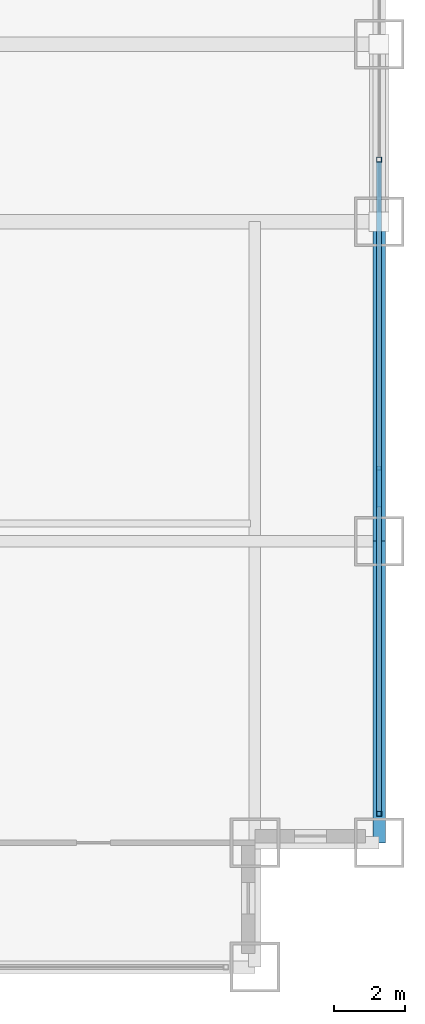
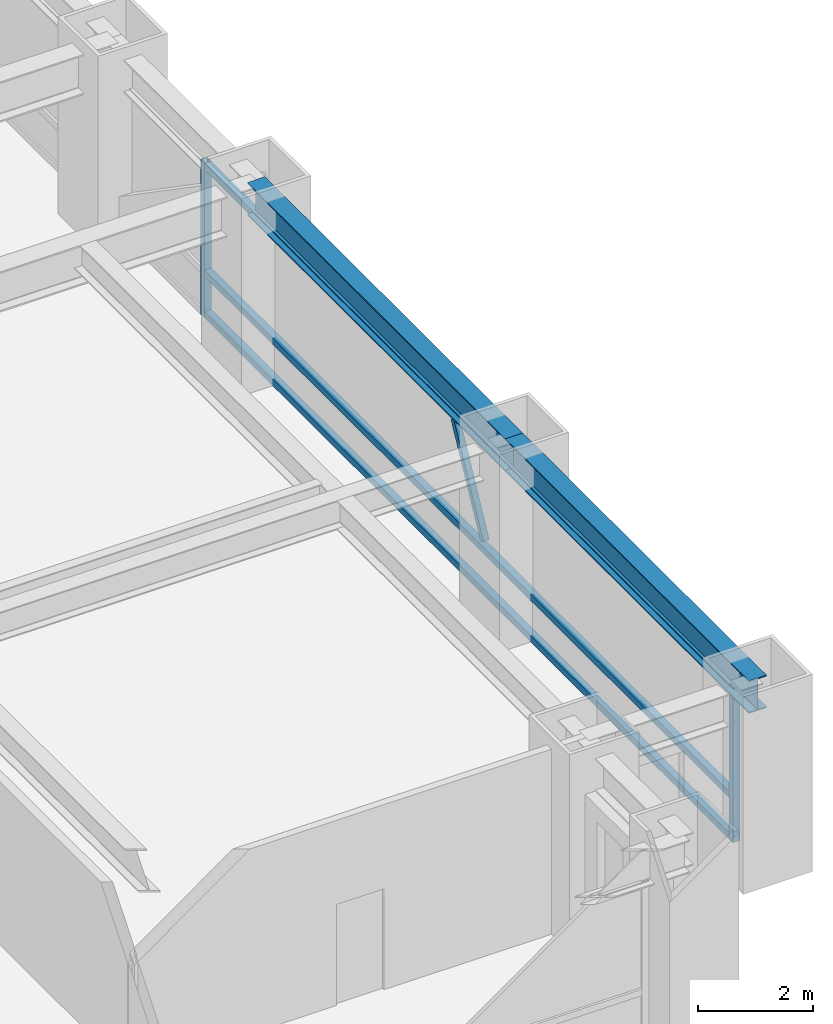
# One storey, part 16 of 27: 6 members, 2 beams, 1 element without a shape of its own.
"""IFC4 building model written with IfcOpenShell, lengths in metres."""

from ifc_helpers import new_model, si_unit, direction, frame, origin, origin_2d, place, context, subcontext, project, spatial, hollow_rectangle, i_section, extrude, source, transform, mapped, material, material_profile, profile_set, type_object, element, aggregate, save


model = new_model("IFC4")

# Units and contexts
model_context = context("Model", 3, precision=1e-05, world=origin(), true_north=direction((0.0, 1.0)))
body_context = subcontext(model_context, "Body", "Model", "MODEL_VIEW")
ifc_project = project(units=[si_unit("LENGTHUNIT", "METRE"), si_unit("AREAUNIT", "SQUARE_METRE"), si_unit("VOLUMEUNIT", "CUBIC_METRE"), si_unit("PLANEANGLEUNIT", "RADIAN"), si_unit("MASSUNIT", "GRAM", prefix="KILO")], contexts=[model_context])

# Site, building, storey
site_placement = place(None, origin())
site = spatial("IfcSite", under=ifc_project, at=site_placement, CompositionType="ELEMENT")
building_placement = place(site_placement, origin())
building = spatial("IfcBuilding", under=site, at=building_placement, Name="Khorayat Bourse Tower", CompositionType="ELEMENT")
storey_placement = place(building_placement, frame((0.0, 0.0, 53.60009765625)))
storey = spatial("IfcBuildingStorey", under=building, at=storey_placement, Name="L11", CompositionType="ELEMENT", Elevation=53.60009765625)

# Beams
ifc_material_1 = material(Name="Steel ASTM A992 Grade 50", Category="steel")
ifc_material_profile_1 = material_profile(ifc_material_1, i_section(OverallWidth=0.35498046875, OverallDepth=0.695068359375, WebThickness=0.015380859375, FlangeThickness=0.02490234375, FilletRadius=0.01806640625, at=origin_2d()), Name="W690X217")
ifc_profile_set_1 = profile_set([ifc_material_profile_1], Name="Steel ASTM A992 Grade 50")
beam_type = type_object("IfcBeamType", Name="BM-SPAN-690", PredefinedType="SPANDREL", material=ifc_profile_set_1)
shared_shape_1 = source(origin(), body_context, "Body", "SweptSolid", [
    extrude(i_section(OverallWidth=0.35498046875, OverallDepth=0.695068359375, WebThickness=0.015380859375, FlangeThickness=0.02490234375, FilletRadius=0.01806640625, at=origin_2d()), origin(), (0.0, 0.0, 1.0), 8.5),
])
beam_1_placement = place(storey_placement, frame((32.0, -28.5, 3.59228515625), z_axis=(0.0, 1.0, 0.0), x_axis=(-1.0, 0.0, 0.0)))
element("IfcBeam", 1, at=beam_1_placement, inside=storey, type_object=beam_type, Name="L11 BM-SPAN-690 BM-L11-SPN-034", PredefinedType="SPANDREL", context=body_context, shape_type="MappedRepresentation", body=[
    mapped(shared_shape_1, transform((0.0, 0.0, 0.0), scale=1.0)),
])
shared_shape_2 = source(origin(), body_context, "Body", "SweptSolid", [
    extrude(i_section(OverallWidth=0.35498046875, OverallDepth=0.695068359375, WebThickness=0.015380859375, FlangeThickness=0.02490234375, FilletRadius=0.01806640625, at=origin_2d()), origin(), (0.0, 0.0, 1.0), 9.0),
])
beam_2_placement = place(storey_placement, frame((32.0, -20.0, 3.59228515625), z_axis=(0.0, 1.0, 0.0), x_axis=(-1.0, 0.0, 0.0)))
element("IfcBeam", 2, at=beam_2_placement, inside=storey, type_object=beam_type, Name="L11 BM-SPAN-690 BM-L11-SPN-035", PredefinedType="SPANDREL", context=body_context, shape_type="MappedRepresentation", body=[
    mapped(shared_shape_2, transform((0.0, 0.0, 0.0), scale=1.0)),
])

# Curtain wall, members
ifc_material_2 = material(Name="Aluminium EN AW-6063 T6", Category="aluminium")
curtain_wall_type = type_object("IfcCurtainWallType", Name="CW-SYS-02", PredefinedType="NOTDEFINED", material=ifc_material_2)
curtain_wall_placement = place(storey_placement, origin())
curtain_wall = element("IfcCurtainWall", 3, at=curtain_wall_placement, inside=storey, type_object=curtain_wall_type, Name="L11 Curtain Wall CW-L11-E1", PredefinedType="NOTDEFINED")
ifc_material_profile_2 = material_profile(ifc_material_2, hollow_rectangle(XDim=0.139892578125, YDim=0.139892578125, WallThickness=0.006103515625, at=origin_2d()), Name="ALU 140x140x6")
ifc_profile_set_2 = profile_set([ifc_material_profile_2], Name="Aluminium EN AW-6063 T6")
member_type_1 = type_object("IfcMemberType", Name="CWM-VERT-140", PredefinedType="MULLION", material=ifc_profile_set_2)
shared_shape_3 = source(origin(), body_context, "Body", "SweptSolid", [
    extrude(hollow_rectangle(XDim=0.139892578125, YDim=0.139892578125, WallThickness=0.006103515625, at=origin_2d()), origin(), (0.0, 0.0, 1.0), 3.289794921875),
])
member_1_placement = place(storey_placement, frame((32.0, -27.679931640625, 0.0), z_axis=(0.0, 0.0, 1.0), x_axis=(-1.0, 0.0, 0.0)))
member_1 = element("IfcMember", 4, at=member_1_placement, type_object=member_type_1, Name="CW-L11-E1 Vertical Mullion 1", PredefinedType="MULLION", context=body_context, shape_type="MappedRepresentation", body=[
    mapped(shared_shape_3, transform((0.0, 0.0, 0.0), scale=1.0)),
])
member_2_placement = place(storey_placement, frame((32.0, -9.25, 0.0), z_axis=(0.0, 0.0, 1.0), x_axis=(-1.0, 0.0, 0.0)))
member_2 = element("IfcMember", 5, at=member_2_placement, type_object=member_type_1, Name="CW-L11-E1 Vertical Mullion 2", PredefinedType="MULLION", context=body_context, shape_type="MappedRepresentation", body=[
    mapped(shared_shape_3, transform((0.0, 0.0, 0.0), scale=1.0)),
])
ifc_material_profile_3 = material_profile(ifc_material_2, hollow_rectangle(XDim=0.139892578125, YDim=0.139892578125, WallThickness=0.006103515625, at=origin_2d()), Name="ALU 140x140x6")
ifc_profile_set_3 = profile_set([ifc_material_profile_3], Name="Aluminium EN AW-6063 T6")
member_type_2 = type_object("IfcMemberType", Name="CWT-HORZ-140", PredefinedType="USERDEFINED", material=ifc_profile_set_3)
shared_shape_4 = source(origin(), body_context, "Body", "SweptSolid", [
    extrude(hollow_rectangle(XDim=0.139892578125, YDim=0.139892578125, WallThickness=0.006103515625, at=origin_2d()), origin(), (0.0, 0.0, 1.0), 18.2900390625),
])
member_3_placement = place(storey_placement, frame((32.0, -27.610107421875, 0.06982421875), z_axis=(0.0, 1.0, 0.0), x_axis=(-1.0, 0.0, 0.0)))
member_3 = element("IfcMember", 6, at=member_3_placement, type_object=member_type_2, Name="CW-L11-E1 Horizontal Transom 1-1", ObjectType="TRANSOM", PredefinedType="USERDEFINED", context=body_context, shape_type="MappedRepresentation", body=[
    mapped(shared_shape_4, transform((0.0, 0.0, 0.0), scale=1.0)),
])
member_4_placement = place(storey_placement, frame((32.0, -27.610107421875, 0.949951171875), z_axis=(0.0, 1.0, 0.0), x_axis=(-1.0, 0.0, 0.0)))
member_4 = element("IfcMember", 7, at=member_4_placement, type_object=member_type_2, Name="CW-L11-E1 Horizontal Transom 1-2", ObjectType="TRANSOM", PredefinedType="USERDEFINED", context=body_context, shape_type="MappedRepresentation", body=[
    mapped(shared_shape_4, transform((0.0, 0.0, 0.0), scale=1.0)),
])
member_5_placement = place(storey_placement, frame((32.0, -27.610107421875, 3.219970703125), z_axis=(0.0, 1.0, 0.0), x_axis=(-1.0, 0.0, 0.0)))
member_5 = element("IfcMember", 8, at=member_5_placement, type_object=member_type_2, Name="CW-L11-E1 Horizontal Transom 1-3", ObjectType="TRANSOM", PredefinedType="USERDEFINED", context=body_context, shape_type="MappedRepresentation", body=[
    mapped(shared_shape_4, transform((0.0, 0.0, 0.0), scale=1.0)),
])
ifc_material_profile_4 = material_profile(ifc_material_2, hollow_rectangle(XDim=0.1201171875, YDim=0.1201171875, WallThickness=0.0048828125, at=origin_2d()), Name="ALU 120x120x5")
ifc_profile_set_4 = profile_set([ifc_material_profile_4], Name="Aluminium EN AW-6063 T6")
member_type_3 = type_object("IfcMemberType", Name="CWM-DIAG-120", PredefinedType="MULLION", material=ifc_profile_set_4)
shared_shape_5 = source(origin(), body_context, "Body", "SweptSolid", [
    extrude(hollow_rectangle(XDim=0.1201171875, YDim=0.1201171875, WallThickness=0.0048828125, at=origin_2d()), origin(), (0.0, 0.0, 1.0), 2.22607421875),
])
member_6_placement = place(storey_placement, frame((32.0, -18.9833984375, 1.099853515625), z_axis=(0.0, 0.465759992596, 0.884911085532), x_axis=(-1.0, 0.0, 0.0)))
member_6 = element("IfcMember", 9, at=member_6_placement, type_object=member_type_3, Name="CW-L11-E1 Faceted Diagonal Mullion 1", PredefinedType="MULLION", context=body_context, shape_type="MappedRepresentation", body=[
    mapped(shared_shape_5, transform((0.0, 0.0, 0.0), scale=1.0)),
])
aggregate(curtain_wall, [member_1, member_2, member_3, member_4, member_5, member_6])

save(model, "model.ifc")
